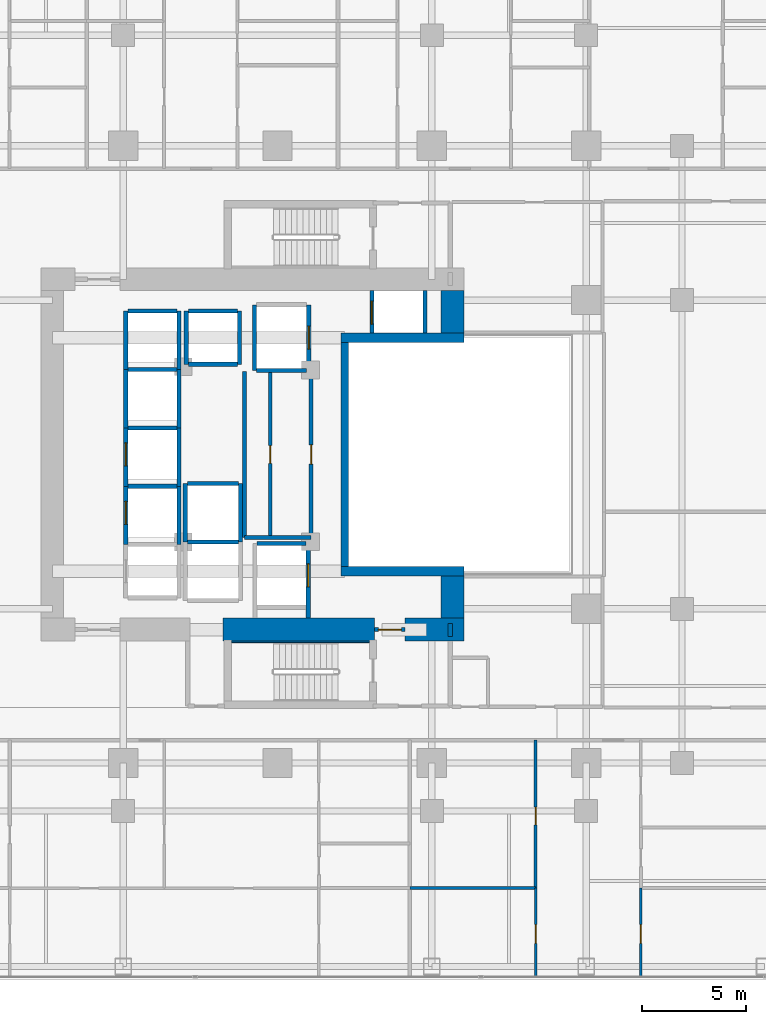
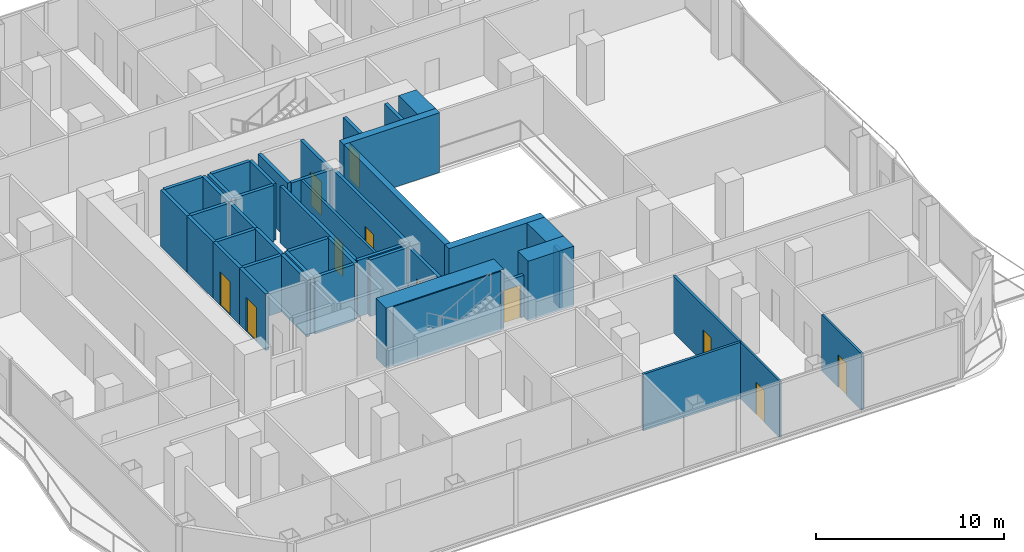
# One storey, part 21 of 27: 45 walls, 11 doors, 11 openings.
"""IFC4 building model written with IfcOpenShell, lengths in metres."""

import ifcopenshell
import ifcopenshell.guid

model = None  # the IFC model being written
_history = None  # IfcOwnerHistory: only IFC2X3 demands one
_inside = {}  # id of a spatial element -> (the spatial element, [elements in it])
_under = {}  # id of a project, library or spatial element -> (it, [spatial elements below it])
_declared = {}  # id of a project -> (the project, [libraries it declares])
_typed = {}  # id of a type object -> (the type object, [elements of that type])
_made_of = {}  # id of a material, layer set ... -> (it, [elements and type objects made of it])


def new_model(schema):
    """Start an empty IFC model of exactly this schema.

    Asked for "IFC4X3", IfcOpenShell would pick the latest addendum, in which some entities
    have other attributes; the version numbers below select the first issue.
    IFC2X3 requires an IfcOwnerHistory on every rooted entity: one is made here for all.
    """
    global model, _history
    if schema == "IFC4X3":
        model = ifcopenshell.file(schema_version=(4, 3, 0, 0))
    else:
        model = ifcopenshell.file(schema=schema)
    _inside.clear()
    _under.clear()
    _declared.clear()
    _typed.clear()
    _made_of.clear()
    _history = None
    if model.schema == "IFC2X3":
        org = make("IfcOrganization", Name="unknown")
        user = make(
            "IfcPersonAndOrganization",
            ThePerson=make("IfcPerson", FamilyName="unknown"),
            TheOrganization=org,
        )
        app = make(
            "IfcApplication",
            ApplicationDeveloper=org,
            Version="unknown",
            ApplicationFullName="unknown",
            ApplicationIdentifier="unknown",
        )
        _history = make(
            "IfcOwnerHistory",
            OwningUser=user,
            OwningApplication=app,
            ChangeAction="ADDED",
            CreationDate=0,
        )
    return model


def make(cls, **values):
    """One entity of the class cls with the attributes given. An attribute that is None is left unset."""
    return model.create_entity(
        cls, **{name: value for name, value in values.items() if value is not None}
    )


def rooted(cls, **values):
    """An entity with a GlobalId (a new one), such as an element, a storey or a relation."""
    return make(cls, GlobalId=ifcopenshell.guid.new(), OwnerHistory=_history, **values)


def si_unit(unit_type, name, prefix=None):
    """IfcSIUnit, for example si_unit("LENGTHUNIT", "METRE", prefix="MILLI")."""
    return make("IfcSIUnit", UnitType=unit_type, Prefix=prefix, Name=name)


def assignment(units):
    """IfcUnitAssignment: the units of a project."""
    return None if units is None else make("IfcUnitAssignment", Units=units)


def point(xyz):
    """IfcCartesianPoint."""
    return None if xyz is None else make("IfcCartesianPoint", Coordinates=xyz)


def direction(xyz):
    """IfcDirection."""
    return None if xyz is None else make("IfcDirection", DirectionRatios=xyz)


def frame(location, z_axis=None, x_axis=None):
    """IfcAxis2Placement3D, a coordinate frame: its origin and axes. An axis left out is left unset."""
    return make(
        "IfcAxis2Placement3D",
        Location=point(location),
        Axis=direction(z_axis),
        RefDirection=direction(x_axis),
    )


def frame_2d(location, x_axis=None):
    """IfcAxis2Placement2D, a coordinate frame in the plane: its origin and x axis."""
    return make(
        "IfcAxis2Placement2D", Location=point(location), RefDirection=direction(x_axis)
    )


def origin():
    """The frame at (0, 0, 0) with its axes left unset."""
    return frame((0.0, 0.0, 0.0))


def place(relative_to, where):
    """IfcLocalPlacement: puts the frame where relative to a parent placement (None: the world)."""
    return make(
        "IfcLocalPlacement", PlacementRelTo=relative_to, RelativePlacement=where
    )


def context(
    kind, dimensions, precision=None, world=None, true_north=None, identifier=None
):
    """IfcGeometricRepresentationContext, for example the 3D "Model" context."""
    return make(
        "IfcGeometricRepresentationContext",
        ContextIdentifier=identifier,
        ContextType=kind,
        CoordinateSpaceDimension=dimensions,
        Precision=precision,
        WorldCoordinateSystem=world,
        TrueNorth=true_north,
    )


def subcontext(parent, identifier, kind, view, scale=None):
    """IfcGeometricRepresentationSubContext, for example "Body" below "Model"."""
    return make(
        "IfcGeometricRepresentationSubContext",
        ContextIdentifier=identifier,
        ContextType=kind,
        ParentContext=parent,
        TargetScale=scale,
        TargetView=view,
    )


def project(units=None, contexts=None):
    """IfcProject with its units and contexts."""
    return rooted(
        "IfcProject",
        Name="project",
        RepresentationContexts=contexts,
        UnitsInContext=assignment(units),
    )


def spatial(cls, under=None, at=None, **own):
    """A site, building, storey or space (cls), placed at a placement, below another one or the project."""
    s = rooted(cls, ObjectPlacement=at, **own)
    if under is not None:
        _under.setdefault(under.id(), (under, []))[1].append(s)
    return s


def profile(cls, at=None, kind="AREA", **sizes):
    """A parametric profile (cls). Its sizes go by their IFC names, for example OverallWidth=200.0."""
    return make(cls, ProfileType=kind, Position=at, **sizes)


def rectangle(**sizes):
    """IfcRectangleProfileDef."""
    return profile("IfcRectangleProfileDef", **sizes)


def extrude(swept, where, along, depth):
    """IfcExtrudedAreaSolid: the profile swept, set in the frame where, extruded along a direction by depth."""
    return make(
        "IfcExtrudedAreaSolid",
        SweptArea=swept,
        Position=where,
        ExtrudedDirection=direction(along),
        Depth=depth,
    )


def shape(context_of_items, identifier, shape_type, items):
    """IfcShapeRepresentation: the items that make up one representation, for example the "Body"."""
    return make(
        "IfcShapeRepresentation",
        ContextOfItems=context_of_items,
        RepresentationIdentifier=identifier,
        RepresentationType=shape_type,
        Items=items,
    )


def material(Name=None, Category=None):
    """IfcMaterial."""
    return make("IfcMaterial", Name=Name, Category=Category)


def layer(
    of_material, thickness, ventilated=None, Name=None, Category=None, Priority=None
):
    """IfcMaterialLayer: one layer of a wall or slab, of a material (None: an air gap)."""
    return make(
        "IfcMaterialLayer",
        Material=of_material,
        LayerThickness=thickness,
        IsVentilated=ventilated,
        Name=Name,
        Category=Category,
        Priority=Priority,
    )


def layer_set(layers, Name=None):
    """IfcMaterialLayerSet."""
    return make("IfcMaterialLayerSet", MaterialLayers=layers, LayerSetName=Name)


def made_of(thing, what):
    """Note that an element or type object is made of a material, layer set ...; save() writes the relation."""
    if what is not None:
        _made_of.setdefault(what.id(), (what, []))[1].append(thing)
    return thing


def type_object(cls, material=None, **own):
    """A type object (cls), such as IfcWallType, which elements share."""
    return made_of(rooted(cls, **own), material)


def element(
    cls,
    number,
    at=None,
    inside=None,
    cuts=None,
    type_object=None,
    material=None,
    context=None,
    identifier="Body",
    shape_type=None,
    held_by="IfcProductDefinitionShape",
    body=None,
    shapes=None,
    **own,
):
    """One element of the class cls, such as IfcWall. Its Tag is "e" and its number.

    at: its placement. inside: the storey or other place that contains it. cuts: it is an
    opening in that element (IfcRelVoidsElement). A single representation is given by context,
    identifier, shape_type and body (its items); several are given by shapes. held_by: the class
    of the entity that holds the representations. save() writes the other relations.
    """
    e = rooted(cls, Tag="e%d" % number, ObjectPlacement=at, **own)
    if body is not None:
        shapes = [shape(context, identifier, shape_type, body)]
    if shapes is not None:
        e.Representation = make(held_by, Representations=shapes)
    if inside is not None:
        _inside.setdefault(inside.id(), (inside, []))[1].append(e)
    if cuts is not None:
        rooted(
            "IfcRelVoidsElement", RelatingBuildingElement=cuts, RelatedOpeningElement=e
        )
    if type_object is not None:
        _typed.setdefault(type_object.id(), (type_object, []))[1].append(e)
    return made_of(e, material)


def fill(opening, filler):
    """IfcRelFillsElement: the door or window that sits in an opening."""
    return rooted(
        "IfcRelFillsElement",
        RelatingOpeningElement=opening,
        RelatedBuildingElement=filler,
    )


def aggregate(whole, parts):
    """IfcRelAggregates: a whole, such as a stair, and the parts it consists of."""
    return rooted("IfcRelAggregates", RelatingObject=whole, RelatedObjects=parts)


def save(model, path):
    """Write the relations noted so far, then the file.

    IfcRelAggregates (storeys below a building ...), IfcRelContainedInSpatialStructure (elements
    in a storey), IfcRelDefinesByType, IfcRelAssociatesMaterial and IfcRelDeclares: one each for
    every whole, place, type object, material and project.
    """
    for whole, parts in _under.values():
        aggregate(whole, parts)
    for where, things in _inside.values():
        rooted(
            "IfcRelContainedInSpatialStructure",
            RelatedElements=things,
            RelatingStructure=where,
        )
    for kind, things in _typed.values():
        rooted("IfcRelDefinesByType", RelatedObjects=things, RelatingType=kind)
    for what, things in _made_of.values():
        rooted("IfcRelAssociatesMaterial", RelatedObjects=things, RelatingMaterial=what)
    for by, libraries in _declared.values():
        rooted("IfcRelDeclares", RelatingContext=by, RelatedDefinitions=libraries)
    model.write(path)


model = new_model("IFC4")

# Units and contexts
model_context = context("Model", 3, precision=1e-05, world=origin(), true_north=direction((0.0, 1.0)))
body_context = subcontext(model_context, "Body", "Model", "MODEL_VIEW")
ifc_project = project(units=[si_unit("LENGTHUNIT", "METRE"), si_unit("AREAUNIT", "SQUARE_METRE"), si_unit("VOLUMEUNIT", "CUBIC_METRE"), si_unit("PLANEANGLEUNIT", "RADIAN"), si_unit("MASSUNIT", "GRAM", prefix="KILO")], contexts=[model_context])

# Site, building, storey
site_placement = place(None, origin())
site = spatial("IfcSite", under=ifc_project, at=site_placement, CompositionType="ELEMENT")
building_placement = place(site_placement, origin())
building = spatial("IfcBuilding", under=site, at=building_placement, Name="Khorvyn Point Tower", CompositionType="ELEMENT")
storey_placement = place(building_placement, frame((0.0, 0.0, 42.300048828125)))
storey = spatial("IfcBuildingStorey", under=building, at=storey_placement, Name="L11", CompositionType="ELEMENT", Elevation=42.300048828125)

# Walls
ifc_material_1 = material(Name="Concrete C40/50", Category="concrete")
ifc_layer_1 = layer(ifc_material_1, 0.449951171875)
ifc_layer_set_1 = layer_set([ifc_layer_1], Name="Concrete C40/50 Core Shear Wall 450")
wall_type_1 = type_object("IfcWallType", Name="Concrete C40/50 Core Shear Wall 450", PredefinedType="SHEAR", material=ifc_layer_set_1)
for number, where, z_axis, x_axis, name in (
    (1, (3.044921875, -5.60009765625, 0.0), (0.0, 0.0, 1.0), (1.0, 0.0, 0.0), "Wall"),
    (2, (3.044921875, 5.60009765625, 0.0), (0.0, 0.0, 1.0), (1.0, 0.0, 0.0), "Wall"),
):
    element("IfcWall", number, at=place(storey_placement, frame(where, z_axis=z_axis, x_axis=x_axis)), inside=storey, type_object=wall_type_1, Name=name, PredefinedType="SHEAR", context=body_context, shape_type="SweptSolid", body=[
        extrude(rectangle(XDim=5.905029296875, YDim=0.449951171875, at=frame_2d((2.95263671875, 0.0))), origin(), (0.0, 0.0, 1.0), 3.89990234375),
    ])

# Wall, opening, door
ifc_layer_2 = layer(ifc_material_1, 0.199951171875)
ifc_layer_set_2 = layer_set([ifc_layer_2], Name="Concrete C40/50 Fire-Lobby Compartment Wall 200")
wall_type_2 = type_object("IfcWallType", Name="Concrete C40/50 Fire-Lobby Compartment Wall 200", PredefinedType="SOLIDWALL", material=ifc_layer_set_2)
wall_1_placement = place(storey_placement, frame((4.64990234375, -8.39990234375, 0.0), z_axis=(0.0, 0.0, 1.0), x_axis=(1.0, 0.0, 0.0)))
wall_1 = element("IfcWall", 3, at=wall_1_placement, inside=storey, type_object=wall_type_2, Name="Wall", PredefinedType="SOLIDWALL", context=body_context, shape_type="SweptSolid", body=[
    extrude(rectangle(XDim=1.47021484375, YDim=0.199951171875, at=frame_2d((0.735107421875, 0.0))), origin(), (0.0, 0.0, 1.0), 2.719970703125),
])
opening_1_placement = place(wall_1_placement, frame((0.18505859375, 0.0, 0.0)))
opening_1 = element("IfcOpeningElement", 4, at=opening_1_placement, cuts=wall_1, Name="Opening ID-FL90", PredefinedType="OPENING", context=body_context, shape_type="SweptSolid", body=[
    extrude(rectangle(XDim=1.10009765625, YDim=2.14990234375, at=frame_2d((0.550048828125, 1.074951171875))), frame((0.0, 0.10986328125, 0.0), z_axis=(0.0, -1.0, 0.0), x_axis=(1.0, 0.0, 0.0)), (0.0, 0.0, 1.0), 0.219970703125),
])
ifc_material_2 = material(Name="Galvanised powder-coated steel", Category="steel")
door_type_1 = type_object("IfcDoorType", Name="Fire-Rated Steel Lobby and Stair Door 1100x2150", OperationType="NOTDEFINED", PredefinedType="DOOR", material=ifc_material_2)
door_1_placement = place(opening_1_placement, origin())
door_1 = element("IfcDoor", 5, at=door_1_placement, inside=storey, type_object=door_type_1, Name="Door", OperationType="SINGLE_SWING_LEFT", OverallHeight=2.14990234375, OverallWidth=1.10009765625, PredefinedType="DOOR", context=body_context, shape_type="SweptSolid", body=[
    extrude(rectangle(XDim=1.10009765625, YDim=2.14990234375, at=frame_2d((0.550048828125, 1.074951171875))), frame((0.0, 0.02490234375, 0.0), z_axis=(0.0, -1.0, 0.0), x_axis=(1.0, 0.0, 0.0)), (0.0, 0.0, 1.0), 0.050048828125),
])
fill(opening_1, door_1)

wall_2_placement = place(storey_placement, frame((1.610107421875, -3.97998046875, 0.0), z_axis=(0.0, 0.0, 1.0), x_axis=(0.0, 1.0, 0.0)))
wall_2 = element("IfcWall", 6, at=wall_2_placement, inside=storey, type_object=wall_type_2, Name="Wall", PredefinedType="SOLIDWALL", context=body_context, shape_type="SweptSolid", body=[
    extrude(rectangle(XDim=7.9599609375, YDim=0.199951171875, at=frame_2d((3.97998046875, 0.0))), origin(), (0.0, 0.0, 1.0), 3.679931640625),
])
opening_2_placement = place(wall_2_placement, frame((3.52001953125, 0.0, 0.0)))
opening_2 = element("IfcOpeningElement", 7, at=opening_2_placement, cuts=wall_2, Name="Opening ID-RS60", PredefinedType="OPENING", context=body_context, shape_type="SweptSolid", body=[
    extrude(rectangle(XDim=0.919921875, YDim=2.10009765625, at=frame_2d((0.4599609375, 1.050048828125))), frame((0.0, 0.10986328125, 0.0), z_axis=(0.0, -1.0, 0.0), x_axis=(1.0, 0.0, 0.0)), (0.0, 0.0, 1.0), 0.219970703125),
])
door_type_2 = type_object("IfcDoorType", Name="Fire-Rated Riser and Store Steel Door 920x2100", OperationType="NOTDEFINED", PredefinedType="DOOR", material=ifc_material_2)
door_2_placement = place(opening_2_placement, origin())
door_2 = element("IfcDoor", 8, at=door_2_placement, inside=storey, type_object=door_type_2, Name="Door", OperationType="SINGLE_SWING_LEFT", OverallHeight=2.10009765625, OverallWidth=0.919921875, PredefinedType="DOOR", context=body_context, shape_type="SweptSolid", body=[
    extrude(rectangle(XDim=0.919921875, YDim=2.10009765625, at=frame_2d((0.4599609375, 1.050048828125))), frame((0.0, 0.02490234375, 0.0), z_axis=(0.0, -1.0, 0.0), x_axis=(1.0, 0.0, 0.0)), (0.0, 0.0, 1.0), 0.050048828125),
])
fill(opening_2, door_2)

# Walls
wall_3_placement = place(storey_placement, frame((-1.580078125, -3.97998046875, 0.0), z_axis=(0.0, 0.0, 1.0), x_axis=(0.0, 1.0, 0.0)))
element("IfcWall", 9, at=wall_3_placement, inside=storey, type_object=wall_type_2, Name="Wall", PredefinedType="SOLIDWALL", context=body_context, shape_type="SweptSolid", body=[
    extrude(rectangle(XDim=7.9599609375, YDim=0.199951171875, at=frame_2d((3.97998046875, 0.0))), origin(), (0.0, 0.0, 1.0), 3.679931640625),
])
wall_4_placement = place(storey_placement, frame((-1.580078125, -3.97998046875, 0.0), z_axis=(0.0, 0.0, 1.0), x_axis=(1.0, 0.0, 0.0)))
element("IfcWall", 10, at=wall_4_placement, inside=storey, type_object=wall_type_2, Name="Wall", PredefinedType="SOLIDWALL", context=body_context, shape_type="SweptSolid", body=[
    extrude(rectangle(XDim=3.190185546875, YDim=0.199951171875, at=frame_2d((1.59521484375, 0.0))), origin(), (0.0, 0.0, 1.0), 3.679931640625),
])
wall_5_placement = place(storey_placement, frame((8.280029296875, -8.72509765625, 0.0), z_axis=(0.0, 0.0, 1.0), x_axis=(0.0, 1.0, 0.0)))
element("IfcWall", 11, at=wall_5_placement, inside=storey, type_object=wall_type_2, Name="Wall", PredefinedType="SOLIDWALL", context=body_context, shape_type="SweptSolid", body=[
    extrude(rectangle(XDim=0.625, YDim=0.199951171875, at=frame_2d((0.3125, 0.0))), origin(), (0.0, 0.0, 1.0), 3.679931640625),
])
ifc_layer_3 = layer(ifc_material_1, 0.25)
ifc_layer_set_3 = layer_set([ifc_layer_3], Name="Concrete C40/50 Stair Inner Cheek Structural Wall 250")
wall_type_3 = type_object("IfcWallType", Name="Concrete C40/50 Stair Inner Cheek Structural Wall 250", PredefinedType="SHEAR", material=ifc_layer_set_3)
wall_6_placement = place(storey_placement, frame((-2.199951171875, -8.987548828125, 0.0), z_axis=(0.0, 0.0, 1.0), x_axis=(1.0, 0.0, 0.0)))
element("IfcWall", 12, at=wall_6_placement, inside=storey, type_object=wall_type_3, Name="Wall", PredefinedType="SHEAR", context=body_context, shape_type="SweptSolid", body=[
    extrude(rectangle(XDim=6.599853515625, YDim=0.074951171875, at=frame_2d((3.2998046875, 0.0))), origin(), (0.0, 0.0, 1.0), 3.89990234375),
])
ifc_layer_4 = layer(ifc_material_1, 0.35009765625)
ifc_layer_set_4 = layer_set([ifc_layer_4], Name="Concrete C40/50 Stair Shaft Structural Wall 350")
wall_type_4 = type_object("IfcWallType", Name="Concrete C40/50 Stair Shaft Structural Wall 350", PredefinedType="SHEAR", material=ifc_layer_set_4)
wall_7_placement = place(storey_placement, frame((3.219970703125, -5.375, 0.0), z_axis=(0.0, 0.0, 1.0), x_axis=(0.0, 1.0, 0.0)))
element("IfcWall", 13, at=wall_7_placement, inside=storey, type_object=wall_type_4, Name="Wall", PredefinedType="SHEAR", context=body_context, shape_type="SweptSolid", body=[
    extrude(rectangle(XDim=10.75, YDim=0.35009765625, at=frame_2d((5.375, 0.0))), origin(), (0.0, 0.0, 1.0), 3.89990234375),
])

# Wall, opening, door
ifc_layer_5 = layer(ifc_material_1, 0.199951171875)
ifc_layer_set_5 = layer_set([ifc_layer_5], Name="Concrete C40/50 Structural Hoistway and Stair Shaft Wall 200")
wall_type_5 = type_object("IfcWallType", Name="Concrete C40/50 Structural Hoistway and Stair Shaft Wall 200", PredefinedType="SHEAR", material=ifc_layer_set_5)
wall_8_placement = place(storey_placement, frame((-7.27490234375, -4.324951171875, 0.0), z_axis=(0.0, 0.0, 1.0), x_axis=(0.0, 1.0, 0.0)))
wall_8 = element("IfcWall", 14, at=wall_8_placement, inside=storey, type_object=wall_type_5, Name="Wall", PredefinedType="SHEAR", context=body_context, shape_type="SweptSolid", body=[
    extrude(rectangle(XDim=2.800048828125, YDim=0.199951171875, at=frame_2d((1.39990234375, 0.0))), origin(), (0.0, 0.0, 1.0), 3.679931640625),
])
opening_3_placement = place(wall_8_placement, frame((0.97509765625, 0.0, 0.0)))
opening_3 = element("IfcOpeningElement", 15, at=opening_3_placement, cuts=wall_8, Name="Opening LD-1122", PredefinedType="OPENING", context=body_context, shape_type="SweptSolid", body=[
    extrude(rectangle(XDim=1.10009765625, YDim=2.199951171875, at=frame_2d((0.550048828125, 1.10009765625))), frame((0.0, 0.10986328125, 0.0), z_axis=(0.0, -1.0, 0.0), x_axis=(1.0, 0.0, 0.0)), (0.0, 0.0, 1.0), 0.219970703125),
])
ifc_material_3 = material(Name="Stainless steel 1.4301", Category="steel")
door_type_3 = type_object("IfcDoorType", Name="Stainless Steel Automatic Sliding Lift Landing Door 1100x2200", OperationType="SLIDING_TO_LEFT", PredefinedType="DOOR", material=ifc_material_3)
door_3_placement = place(opening_3_placement, origin())
door_3 = element("IfcDoor", 16, at=door_3_placement, inside=storey, type_object=door_type_3, Name="L11 RL-02 Sliding Lift Landing Door", OperationType="SLIDING_TO_LEFT", OverallHeight=2.199951171875, OverallWidth=1.10009765625, PredefinedType="DOOR", context=body_context, shape_type="SweptSolid", body=[
    extrude(rectangle(XDim=1.10009765625, YDim=2.199951171875, at=frame_2d((0.550048828125, 1.10009765625))), frame((0.0, 0.02490234375, 0.0), z_axis=(0.0, -1.0, 0.0), x_axis=(1.0, 0.0, 0.0)), (0.0, 0.0, 1.0), 0.050048828125),
])
fill(opening_3, door_3)

# Walls
wall_9_placement = place(storey_placement, frame((-4.72509765625, -4.324951171875, 0.0), z_axis=(0.0, 0.0, 1.0), x_axis=(0.0, 1.0, 0.0)))
element("IfcWall", 17, at=wall_9_placement, inside=storey, type_object=wall_type_5, Name="Wall", PredefinedType="SHEAR", context=body_context, shape_type="SweptSolid", body=[
    extrude(rectangle(XDim=2.800048828125, YDim=0.199951171875, at=frame_2d((1.39990234375, 0.0))), origin(), (0.0, 0.0, 1.0), 3.679931640625),
])
wall_10_placement = place(storey_placement, frame((-7.175048828125, -1.52490234375, 0.0), z_axis=(0.0, 0.0, 1.0), x_axis=(1.0, 0.0, 0.0)))
element("IfcWall", 18, at=wall_10_placement, inside=storey, type_object=wall_type_5, Name="Wall", PredefinedType="SHEAR", context=body_context, shape_type="SweptSolid", body=[
    extrude(rectangle(XDim=2.35009765625, YDim=0.199951171875, at=frame_2d((1.175048828125, 0.0))), origin(), (0.0, 0.0, 1.0), 3.679931640625),
])

# Wall, opening, door
wall_11_placement = place(storey_placement, frame((-7.27490234375, -1.52490234375, 0.0), z_axis=(0.0, 0.0, 1.0), x_axis=(0.0, 1.0, 0.0)))
wall_11 = element("IfcWall", 19, at=wall_11_placement, inside=storey, type_object=wall_type_5, Name="Wall", PredefinedType="SHEAR", context=body_context, shape_type="SweptSolid", body=[
    extrude(rectangle(XDim=2.7998046875, YDim=0.199951171875, at=frame_2d((1.39990234375, 0.0))), origin(), (0.0, 0.0, 1.0), 3.679931640625),
])
opening_4_placement = place(wall_11_placement, frame((0.97509765625, 0.0, 0.0)))
opening_4 = element("IfcOpeningElement", 20, at=opening_4_placement, cuts=wall_11, Name="Opening LD-1122", PredefinedType="OPENING", context=body_context, shape_type="SweptSolid", body=[
    extrude(rectangle(XDim=1.10009765625, YDim=2.199951171875, at=frame_2d((0.550048828125, 1.10009765625))), frame((0.0, 0.10986328125, 0.0), z_axis=(0.0, -1.0, 0.0), x_axis=(1.0, 0.0, 0.0)), (0.0, 0.0, 1.0), 0.219970703125),
])
door_4_placement = place(opening_4_placement, origin())
door_4 = element("IfcDoor", 21, at=door_4_placement, inside=storey, type_object=door_type_3, Name="L11 RL-03 Sliding Lift Landing Door", OperationType="SLIDING_TO_LEFT", OverallHeight=2.199951171875, OverallWidth=1.10009765625, PredefinedType="DOOR", context=body_context, shape_type="SweptSolid", body=[
    extrude(rectangle(XDim=1.10009765625, YDim=2.199951171875, at=frame_2d((0.550048828125, 1.10009765625))), frame((0.0, 0.02490234375, 0.0), z_axis=(0.0, -1.0, 0.0), x_axis=(1.0, 0.0, 0.0)), (0.0, 0.0, 1.0), 0.050048828125),
])
fill(opening_4, door_4)

# Walls
wall_12_placement = place(storey_placement, frame((-4.72509765625, -1.52490234375, 0.0), z_axis=(0.0, 0.0, 1.0), x_axis=(0.0, 1.0, 0.0)))
element("IfcWall", 22, at=wall_12_placement, inside=storey, type_object=wall_type_5, Name="Wall", PredefinedType="SHEAR", context=body_context, shape_type="SweptSolid", body=[
    extrude(rectangle(XDim=2.7998046875, YDim=0.199951171875, at=frame_2d((1.39990234375, 0.0))), origin(), (0.0, 0.0, 1.0), 3.679931640625),
])
wall_13_placement = place(storey_placement, frame((-7.175048828125, 1.27490234375, 0.0), z_axis=(0.0, 0.0, 1.0), x_axis=(1.0, 0.0, 0.0)))
element("IfcWall", 23, at=wall_13_placement, inside=storey, type_object=wall_type_5, Name="Wall", PredefinedType="SHEAR", context=body_context, shape_type="SweptSolid", body=[
    extrude(rectangle(XDim=2.35009765625, YDim=0.199951171875, at=frame_2d((1.175048828125, 0.0))), origin(), (0.0, 0.0, 1.0), 3.679931640625),
])
for number, where, z_axis, x_axis, name in (
    (24, (-7.27490234375, 1.27490234375, 0.0), (0.0, 0.0, 1.0), (0.0, 1.0, 0.0), "Wall"),
    (25, (-4.72509765625, 1.27490234375, 0.0), (0.0, 0.0, 1.0), (0.0, 1.0, 0.0), "Wall"),
):
    element("IfcWall", number, at=place(storey_placement, frame(where, z_axis=z_axis, x_axis=x_axis)), inside=storey, type_object=wall_type_5, Name=name, PredefinedType="SHEAR", context=body_context, shape_type="SweptSolid", body=[
        extrude(rectangle(XDim=2.800048828125, YDim=0.199951171875, at=frame_2d((1.39990234375, 0.0))), origin(), (0.0, 0.0, 1.0), 3.679931640625),
    ])
wall_14_placement = place(storey_placement, frame((-7.175048828125, 4.074951171875, 0.0), z_axis=(0.0, 0.0, 1.0), x_axis=(1.0, 0.0, 0.0)))
element("IfcWall", 26, at=wall_14_placement, inside=storey, type_object=wall_type_5, Name="Wall", PredefinedType="SHEAR", context=body_context, shape_type="SweptSolid", body=[
    extrude(rectangle(XDim=2.35009765625, YDim=0.199951171875, at=frame_2d((1.175048828125, 0.0))), origin(), (0.0, 0.0, 1.0), 3.679931640625),
])
for number, where, z_axis, x_axis, name in (
    (27, (-7.27490234375, 4.074951171875, 0.0), (0.0, 0.0, 1.0), (0.0, 1.0, 0.0), "Wall"),
    (28, (-4.72509765625, 4.074951171875, 0.0), (0.0, 0.0, 1.0), (0.0, 1.0, 0.0), "Wall"),
):
    element("IfcWall", number, at=place(storey_placement, frame(where, z_axis=z_axis, x_axis=x_axis)), inside=storey, type_object=wall_type_5, Name=name, PredefinedType="SHEAR", context=body_context, shape_type="SweptSolid", body=[
        extrude(rectangle(XDim=2.800048828125, YDim=0.199951171875, at=frame_2d((1.39990234375, 0.0))), origin(), (0.0, 0.0, 1.0), 3.679931640625),
    ])
wall_15_placement = place(storey_placement, frame((-7.175048828125, 6.875, 0.0), z_axis=(0.0, 0.0, 1.0), x_axis=(1.0, 0.0, 0.0)))
element("IfcWall", 29, at=wall_15_placement, inside=storey, type_object=wall_type_5, Name="Wall", PredefinedType="SHEAR", context=body_context, shape_type="SweptSolid", body=[
    extrude(rectangle(XDim=2.35009765625, YDim=0.199951171875, at=frame_2d((1.175048828125, 0.0))), origin(), (0.0, 0.0, 1.0), 3.679931640625),
])
for number, where, z_axis, x_axis, name in (
    (30, (-4.375, 4.324951171875, 0.0), (0.0, 0.0, 1.0), (0.0, 1.0, 0.0), "Wall"),
    (31, (-1.824951171875, 4.324951171875, 0.0), (0.0, 0.0, 1.0), (0.0, 1.0, 0.0), "Wall"),
):
    element("IfcWall", number, at=place(storey_placement, frame(where, z_axis=z_axis, x_axis=x_axis)), inside=storey, type_object=wall_type_5, Name=name, PredefinedType="SHEAR", context=body_context, shape_type="SweptSolid", body=[
        extrude(rectangle(XDim=2.550048828125, YDim=0.199951171875, at=frame_2d((1.27490234375, 0.0))), origin(), (0.0, 0.0, 1.0), 3.679931640625),
    ])
for number, where, z_axis, x_axis, name in (
    (32, (-4.27490234375, 4.324951171875, 0.0), (0.0, 0.0, 1.0), (1.0, 0.0, 0.0), "Wall"),
    (33, (-4.27490234375, 6.875, 0.0), (0.0, 0.0, 1.0), (1.0, 0.0, 0.0), "Wall"),
):
    element("IfcWall", number, at=place(storey_placement, frame(where, z_axis=z_axis, x_axis=x_axis)), inside=storey, type_object=wall_type_5, Name=name, PredefinedType="SHEAR", context=body_context, shape_type="SweptSolid", body=[
        extrude(rectangle(XDim=2.349853515625, YDim=0.199951171875, at=frame_2d((1.1748046875, 0.0))), origin(), (0.0, 0.0, 1.0), 3.679931640625),
    ])
wall_16_placement = place(storey_placement, frame((-4.324951171875, -4.199951171875, 0.0), z_axis=(0.0, 0.0, 1.0), x_axis=(1.0, 0.0, 0.0)))
element("IfcWall", 34, at=wall_16_placement, inside=storey, type_object=wall_type_5, Name="Wall", PredefinedType="SHEAR", context=body_context, shape_type="SweptSolid", body=[
    extrude(rectangle(XDim=2.449951171875, YDim=0.199951171875, at=frame_2d((1.22509765625, 0.0))), origin(), (0.0, 0.0, 1.0), 3.679931640625),
])
for number, where, z_axis, x_axis, name in (
    (35, (-4.425048828125, -4.199951171875, 0.0), (0.0, 0.0, 1.0), (0.0, 1.0, 0.0), "Wall"),
    (36, (-1.77490234375, -4.199951171875, 0.0), (0.0, 0.0, 1.0), (0.0, 1.0, 0.0), "Wall"),
):
    element("IfcWall", number, at=place(storey_placement, frame(where, z_axis=z_axis, x_axis=x_axis)), inside=storey, type_object=wall_type_5, Name=name, PredefinedType="SHEAR", context=body_context, shape_type="SweptSolid", body=[
        extrude(rectangle(XDim=2.800048828125, YDim=0.199951171875, at=frame_2d((1.39990234375, 0.0))), origin(), (0.0, 0.0, 1.0), 3.679931640625),
    ])
wall_17_placement = place(storey_placement, frame((-4.324951171875, -1.39990234375, 0.0), z_axis=(0.0, 0.0, 1.0), x_axis=(1.0, 0.0, 0.0)))
element("IfcWall", 37, at=wall_17_placement, inside=storey, type_object=wall_type_5, Name="Wall", PredefinedType="SHEAR", context=body_context, shape_type="SweptSolid", body=[
    extrude(rectangle(XDim=2.449951171875, YDim=0.199951171875, at=frame_2d((1.22509765625, 0.0))), origin(), (0.0, 0.0, 1.0), 3.679931640625),
])
wall_18_placement = place(storey_placement, frame((-1.10009765625, 4.02490234375, 0.0), z_axis=(0.0, 0.0, 1.0), x_axis=(0.0, 1.0, 0.0)))
element("IfcWall", 38, at=wall_18_placement, inside=storey, type_object=wall_type_5, Name="Wall", PredefinedType="SHEAR", context=body_context, shape_type="SweptSolid", body=[
    extrude(rectangle(XDim=3.150146484375, YDim=0.199951171875, at=frame_2d((1.5751953125, 0.0))), origin(), (0.0, 0.0, 1.0), 3.679931640625),
])

# Wall, opening, door
wall_19_placement = place(storey_placement, frame((1.5, 4.02490234375, 0.0), z_axis=(0.0, 0.0, 1.0), x_axis=(0.0, 1.0, 0.0)))
wall_19 = element("IfcWall", 39, at=wall_19_placement, inside=storey, type_object=wall_type_5, Name="Wall", PredefinedType="SHEAR", context=body_context, shape_type="SweptSolid", body=[
    extrude(rectangle(XDim=3.150146484375, YDim=0.199951171875, at=frame_2d((1.5751953125, 0.0))), origin(), (0.0, 0.0, 1.0), 3.679931640625),
])
opening_5_placement = place(wall_19_placement, frame((1.02490234375, 0.0, 0.0)))
opening_5 = element("IfcOpeningElement", 40, at=opening_5_placement, cuts=wall_19, Name="Opening LD-1122", PredefinedType="OPENING", context=body_context, shape_type="SweptSolid", body=[
    extrude(rectangle(XDim=1.10009765625, YDim=2.199951171875, at=frame_2d((0.550048828125, 1.10009765625))), frame((0.0, 0.10986328125, 0.0), z_axis=(0.0, -1.0, 0.0), x_axis=(1.0, 0.0, 0.0)), (0.0, 0.0, 1.0), 0.219970703125),
])
door_5_placement = place(opening_5_placement, origin())
door_5 = element("IfcDoor", 41, at=door_5_placement, inside=storey, type_object=door_type_3, Name="L11 SV-01 Sliding Lift Landing Door", OperationType="SLIDING_TO_LEFT", OverallHeight=2.199951171875, OverallWidth=1.10009765625, PredefinedType="DOOR", context=body_context, shape_type="SweptSolid", body=[
    extrude(rectangle(XDim=1.10009765625, YDim=2.199951171875, at=frame_2d((0.550048828125, 1.10009765625))), frame((0.0, 0.02490234375, 0.0), z_axis=(0.0, -1.0, 0.0), x_axis=(1.0, 0.0, 0.0)), (0.0, 0.0, 1.0), 0.050048828125),
])
fill(opening_5, door_5)

# Wall
wall_20_placement = place(storey_placement, frame((-1.0, 4.02490234375, 0.0), z_axis=(0.0, 0.0, 1.0), x_axis=(1.0, 0.0, 0.0)))
element("IfcWall", 42, at=wall_20_placement, inside=storey, type_object=wall_type_5, Name="Wall", PredefinedType="SHEAR", context=body_context, shape_type="SweptSolid", body=[
    extrude(rectangle(XDim=2.39990234375, YDim=0.199951171875, at=frame_2d((1.199951171875, 0.0))), origin(), (0.0, 0.0, 1.0), 3.679931640625),
])

# Wall, opening, door
wall_21_placement = place(storey_placement, frame((1.47509765625, -7.85009765625, 0.0), z_axis=(0.0, 0.0, 1.0), x_axis=(0.0, 1.0, 0.0)))
wall_21 = element("IfcWall", 43, at=wall_21_placement, inside=storey, type_object=wall_type_5, Name="Wall", PredefinedType="SHEAR", context=body_context, shape_type="SweptSolid", body=[
    extrude(rectangle(XDim=3.5751953125, YDim=0.199951171875, at=frame_2d((1.78759765625, 0.0))), origin(), (0.0, 0.0, 1.0), 3.679931640625),
])
opening_6_placement = place(wall_21_placement, frame((1.5, 0.0, 0.0)))
opening_6 = element("IfcOpeningElement", 44, at=opening_6_placement, cuts=wall_21, Name="Opening LD-1122", PredefinedType="OPENING", context=body_context, shape_type="SweptSolid", body=[
    extrude(rectangle(XDim=1.10009765625, YDim=2.199951171875, at=frame_2d((0.550048828125, 1.10009765625))), frame((0.0, 0.10986328125, 0.0), z_axis=(0.0, -1.0, 0.0), x_axis=(1.0, 0.0, 0.0)), (0.0, 0.0, 1.0), 0.219970703125),
])
door_6_placement = place(opening_6_placement, origin())
door_6 = element("IfcDoor", 45, at=door_6_placement, inside=storey, type_object=door_type_3, Name="L11 FF-01 Sliding Lift Landing Door", OperationType="SLIDING_TO_LEFT", OverallHeight=2.199951171875, OverallWidth=1.10009765625, PredefinedType="DOOR", context=body_context, shape_type="SweptSolid", body=[
    extrude(rectangle(XDim=1.10009765625, YDim=2.199951171875, at=frame_2d((0.550048828125, 1.10009765625))), frame((0.0, 0.02490234375, 0.0), z_axis=(0.0, -1.0, 0.0), x_axis=(1.0, 0.0, 0.0)), (0.0, 0.0, 1.0), 0.050048828125),
])
fill(opening_6, door_6)

# Wall
wall_22_placement = place(storey_placement, frame((-0.97509765625, -4.27490234375, 0.0), z_axis=(0.0, 0.0, 1.0), x_axis=(1.0, 0.0, 0.0)))
element("IfcWall", 46, at=wall_22_placement, inside=storey, type_object=wall_type_5, Name="Wall", PredefinedType="SHEAR", context=body_context, shape_type="SweptSolid", body=[
    extrude(rectangle(XDim=2.35009765625, YDim=0.199951171875, at=frame_2d((1.175048828125, 0.0))), origin(), (0.0, 0.0, 1.0), 3.679931640625),
])

# Wall, opening, door
wall_23_placement = place(storey_placement, frame((4.52490234375, 5.824951171875, 0.0), z_axis=(0.0, 0.0, 1.0), x_axis=(0.0, 1.0, 0.0)))
wall_23 = element("IfcWall", 47, at=wall_23_placement, inside=storey, type_object=wall_type_5, Name="Wall", PredefinedType="SHEAR", context=body_context, shape_type="SweptSolid", body=[
    extrude(rectangle(XDim=2.025146484375, YDim=0.199951171875, at=frame_2d((1.0126953125, 0.0))), origin(), (0.0, 0.0, 1.0), 3.679931640625),
])
opening_7_placement = place(wall_23_placement, frame((0.425048828125, 0.0, 0.0)))
opening_7 = element("IfcOpeningElement", 48, at=opening_7_placement, cuts=wall_23, Name="Opening LD-1122", PredefinedType="OPENING", context=body_context, shape_type="SweptSolid", body=[
    extrude(rectangle(XDim=1.10009765625, YDim=2.199951171875, at=frame_2d((0.550048828125, 1.10009765625))), frame((0.0, 0.10986328125, 0.0), z_axis=(0.0, -1.0, 0.0), x_axis=(1.0, 0.0, 0.0)), (0.0, 0.0, 1.0), 0.219970703125),
])
door_7_placement = place(opening_7_placement, origin())
door_7 = element("IfcDoor", 49, at=door_7_placement, inside=storey, type_object=door_type_3, Name="L11 FF-02 Sliding Lift Landing Door", OperationType="SLIDING_TO_LEFT", OverallHeight=2.199951171875, OverallWidth=1.10009765625, PredefinedType="DOOR", context=body_context, shape_type="SweptSolid", body=[
    extrude(rectangle(XDim=1.10009765625, YDim=2.199951171875, at=frame_2d((0.550048828125, 1.10009765625))), frame((0.0, 0.02490234375, 0.0), z_axis=(0.0, -1.0, 0.0), x_axis=(1.0, 0.0, 0.0)), (0.0, 0.0, 1.0), 0.050048828125),
])
fill(opening_7, door_7)

# Walls
wall_24_placement = place(storey_placement, frame((7.074951171875, 5.824951171875, 0.0), z_axis=(0.0, 0.0, 1.0), x_axis=(0.0, 1.0, 0.0)))
element("IfcWall", 50, at=wall_24_placement, inside=storey, type_object=wall_type_5, Name="Wall", PredefinedType="SHEAR", context=body_context, shape_type="SweptSolid", body=[
    extrude(rectangle(XDim=2.025146484375, YDim=0.199951171875, at=frame_2d((1.0126953125, 0.0))), origin(), (0.0, 0.0, 1.0), 3.679931640625),
])
ifc_material_4 = material(Name="Concrete C50/60", Category="concrete")
ifc_layer_6 = layer(ifc_material_4, 1.10009765625)
ifc_layer_set_6 = layer_set([ifc_layer_6], Name="Concrete C50/60 Core Shear Wall 1100")
wall_type_6 = type_object("IfcWallType", Name="Concrete C50/60 Core Shear Wall 1100", PredefinedType="SHEAR", material=ifc_layer_set_6)
wall_25_placement = place(storey_placement, frame((-2.6201171875, -8.39990234375, 0.0), z_axis=(0.0, 0.0, 1.0), x_axis=(1.0, 0.0, 0.0)))
element("IfcWall", 51, at=wall_25_placement, inside=storey, type_object=wall_type_6, Name="Wall", PredefinedType="SHEAR", context=body_context, shape_type="SweptSolid", body=[
    extrude(rectangle(XDim=7.27001953125, YDim=1.10009765625, at=frame_2d((3.635009765625, 0.0))), origin(), (0.0, 0.0, 1.0), 3.89990234375),
])
wall_26_placement = place(storey_placement, frame((6.1201171875, -8.39990234375, 0.0), z_axis=(0.0, 0.0, 1.0), x_axis=(1.0, 0.0, 0.0)))
element("IfcWall", 52, at=wall_26_placement, inside=storey, type_object=wall_type_6, Name="Wall", PredefinedType="SHEAR", context=body_context, shape_type="SweptSolid", body=[
    extrude(rectangle(XDim=2.829833984375, YDim=1.10009765625, at=frame_2d((1.4150390625, 0.0))), origin(), (0.0, 0.0, 1.0), 3.89990234375),
])
for number, where, z_axis, x_axis, name in (
    (53, (8.39990234375, -7.85009765625, 0.0), (0.0, 0.0, 1.0), (0.0, 1.0, 0.0), "Wall"),
    (54, (8.39990234375, 5.824951171875, 0.0), (0.0, 0.0, 1.0), (0.0, 1.0, 0.0), "Wall"),
):
    element("IfcWall", number, at=place(storey_placement, frame(where, z_axis=z_axis, x_axis=x_axis)), inside=storey, type_object=wall_type_6, Name=name, PredefinedType="SHEAR", context=body_context, shape_type="SweptSolid", body=[
        extrude(rectangle(XDim=2.025146484375, YDim=1.10009765625, at=frame_2d((1.0126953125, 0.0))), origin(), (0.0, 0.0, 1.0), 3.89990234375),
    ])

# Wall, opening, door
ifc_material_5 = material(Name="Gypsum plasterboard on steel stud", Category="steel")
ifc_layer_7 = layer(ifc_material_5, 0.1201171875)
ifc_layer_set_7 = layer_set([ifc_layer_7], Name="Gypsum Acoustic Stud Room Partition Wall 120")
wall_type_7 = type_object("IfcWallType", Name="Gypsum Acoustic Stud Room Partition Wall 120", PredefinedType="PARTITIONING", material=ifc_layer_set_7)
wall_27_placement = place(storey_placement, frame((12.375, -25.030029296875, 0.0), z_axis=(0.0, 0.0, 1.0), x_axis=(0.0, 1.0, 0.0)))
wall_27 = element("IfcWall", 55, at=wall_27_placement, inside=storey, type_object=wall_type_7, Name="Wall", PredefinedType="PARTITIONING", context=body_context, shape_type="SweptSolid", body=[
    extrude(rectangle(XDim=4.239990234375, YDim=0.1201171875, at=frame_2d((2.1201171875, 0.0))), origin(), (0.0, 0.0, 1.0), 3.679931640625),
])
opening_8_placement = place(wall_27_placement, frame((1.581298828125, 0.0, 0.0)))
opening_8 = element("IfcOpeningElement", 56, at=opening_8_placement, cuts=wall_27, Name="Opening ID-RM90", PredefinedType="OPENING", context=body_context, shape_type="SweptSolid", body=[
    extrude(rectangle(XDim=0.89990234375, YDim=2.10009765625, at=frame_2d((0.449951171875, 1.050048828125))), frame((0.0, 0.070068359375, 0.0), z_axis=(0.0, -1.0, 0.0), x_axis=(1.0, 0.0, 0.0)), (0.0, 0.0, 1.0), 0.14013671875),
])
ifc_material_6 = material(Name="Engineered oak veneer timber", Category="wood")
door_type_4 = type_object("IfcDoorType", Name="Flush Engineered Timber Room Door 900x2100", OperationType="NOTDEFINED", PredefinedType="DOOR", material=ifc_material_6)
door_8_placement = place(opening_8_placement, origin())
door_8 = element("IfcDoor", 57, at=door_8_placement, inside=storey, type_object=door_type_4, Name="Door", OperationType="SINGLE_SWING_RIGHT", OverallHeight=2.10009765625, OverallWidth=0.89990234375, PredefinedType="DOOR", context=body_context, shape_type="SweptSolid", body=[
    extrude(rectangle(XDim=0.89990234375, YDim=2.10009765625, at=frame_2d((0.449951171875, 1.050048828125))), frame((0.0, 0.02490234375, 0.0), z_axis=(0.0, -1.0, 0.0), x_axis=(1.0, 0.0, 0.0)), (0.0, 0.0, 1.0), 0.050048828125),
])
fill(opening_8, door_8)

wall_28_placement = place(storey_placement, frame((17.427978515625, -25.030029296875, 0.0), z_axis=(0.0, 0.0, 1.0), x_axis=(0.0, 1.0, 0.0)))
wall_28 = element("IfcWall", 58, at=wall_28_placement, inside=storey, type_object=wall_type_7, Name="Wall", PredefinedType="PARTITIONING", context=body_context, shape_type="SweptSolid", body=[
    extrude(rectangle(XDim=4.239990234375, YDim=0.1201171875, at=frame_2d((2.1201171875, 0.0))), origin(), (0.0, 0.0, 1.0), 3.679931640625),
])
opening_9_placement = place(wall_28_placement, frame((1.581298828125, 0.0, 0.0)))
opening_9 = element("IfcOpeningElement", 59, at=opening_9_placement, cuts=wall_28, Name="Opening ID-RM90", PredefinedType="OPENING", context=body_context, shape_type="SweptSolid", body=[
    extrude(rectangle(XDim=0.89990234375, YDim=2.10009765625, at=frame_2d((0.449951171875, 1.050048828125))), frame((0.0, 0.070068359375, 0.0), z_axis=(0.0, -1.0, 0.0), x_axis=(1.0, 0.0, 0.0)), (0.0, 0.0, 1.0), 0.14013671875),
])
door_9_placement = place(opening_9_placement, origin())
door_9 = element("IfcDoor", 60, at=door_9_placement, inside=storey, type_object=door_type_4, Name="Door", OperationType="SINGLE_SWING_LEFT", OverallHeight=2.10009765625, OverallWidth=0.89990234375, PredefinedType="DOOR", context=body_context, shape_type="SweptSolid", body=[
    extrude(rectangle(XDim=0.89990234375, YDim=2.10009765625, at=frame_2d((0.449951171875, 1.050048828125))), frame((0.0, 0.02490234375, 0.0), z_axis=(0.0, -1.0, 0.0), x_axis=(1.0, 0.0, 0.0)), (0.0, 0.0, 1.0), 0.050048828125),
])
fill(opening_9, door_9)

ifc_material_7 = material(Name="Moisture-resistant gypsum and cement board", Category="gypsum")
ifc_layer_8 = layer(ifc_material_7, 0.14990234375)
ifc_layer_set_8 = layer_set([ifc_layer_8], Name="Moisture-Resistant Wet-Room Partition Wall 150")
wall_type_8 = type_object("IfcWallType", Name="Moisture-Resistant Wet-Room Partition Wall 150", PredefinedType="PARTITIONING", material=ifc_layer_set_8)
wall_29_placement = place(storey_placement, frame((-0.35009765625, -3.97998046875, 0.0), z_axis=(0.0, 0.0, 1.0), x_axis=(0.0, 1.0, 0.0)))
wall_29 = element("IfcWall", 61, at=wall_29_placement, inside=storey, type_object=wall_type_8, Name="Wall", PredefinedType="PARTITIONING", context=body_context, shape_type="SweptSolid", body=[
    extrude(rectangle(XDim=7.9599609375, YDim=0.14990234375, at=frame_2d((3.97998046875, 0.0))), origin(), (0.0, 0.0, 1.0), 3.679931640625),
])
opening_10_placement = place(wall_29_placement, frame((3.554931640625, 0.0, 0.0)))
opening_10 = element("IfcOpeningElement", 62, at=opening_10_placement, cuts=wall_29, Name="Opening ID-WC85", PredefinedType="OPENING", context=body_context, shape_type="SweptSolid", body=[
    extrude(rectangle(XDim=0.85009765625, YDim=2.10009765625, at=frame_2d((0.425048828125, 1.050048828125))), frame((0.0, 0.0849609375, 0.0), z_axis=(0.0, -1.0, 0.0), x_axis=(1.0, 0.0, 0.0)), (0.0, 0.0, 1.0), 0.169921875),
])
ifc_material_8 = material(Name="High-pressure laminate on moisture-resistant core", Category="wood")
door_type_5 = type_object("IfcDoorType", Name="Moisture-Resistant Accessible Washroom Door 850x2100", OperationType="NOTDEFINED", PredefinedType="DOOR", material=ifc_material_8)
door_10_placement = place(opening_10_placement, origin())
door_10 = element("IfcDoor", 63, at=door_10_placement, inside=storey, type_object=door_type_5, Name="Door", OperationType="SINGLE_SWING_RIGHT", OverallHeight=2.10009765625, OverallWidth=0.85009765625, PredefinedType="DOOR", context=body_context, shape_type="SweptSolid", body=[
    extrude(rectangle(XDim=0.85009765625, YDim=2.10009765625, at=frame_2d((0.425048828125, 1.050048828125))), frame((0.0, 0.02490234375, 0.0), z_axis=(0.0, -1.0, 0.0), x_axis=(1.0, 0.0, 0.0)), (0.0, 0.0, 1.0), 0.050048828125),
])
fill(opening_10, door_10)

wall_30_placement = place(storey_placement, frame((12.375, -20.7900390625, 0.0), z_axis=(0.0, 0.0, 1.0), x_axis=(0.0, 1.0, 0.0)))
wall_30 = element("IfcWall", 64, at=wall_30_placement, inside=storey, type_object=wall_type_8, Name="Wall", PredefinedType="PARTITIONING", context=body_context, shape_type="SweptSolid", body=[
    extrude(rectangle(XDim=7.090087890625, YDim=0.14990234375, at=frame_2d((3.544921875, 0.0))), origin(), (0.0, 0.0, 1.0), 3.679931640625),
])
opening_11_placement = place(wall_30_placement, frame((3.0302734375, 0.0, 0.0)))
opening_11 = element("IfcOpeningElement", 65, at=opening_11_placement, cuts=wall_30, Name="Opening ID-WC85", PredefinedType="OPENING", context=body_context, shape_type="SweptSolid", body=[
    extrude(rectangle(XDim=0.85009765625, YDim=2.10009765625, at=frame_2d((0.425048828125, 1.050048828125))), frame((0.0, 0.0849609375, 0.0), z_axis=(0.0, -1.0, 0.0), x_axis=(1.0, 0.0, 0.0)), (0.0, 0.0, 1.0), 0.169921875),
])
door_11_placement = place(opening_11_placement, origin())
door_11 = element("IfcDoor", 66, at=door_11_placement, inside=storey, type_object=door_type_5, Name="Door", OperationType="SINGLE_SWING_LEFT", OverallHeight=2.10009765625, OverallWidth=0.85009765625, PredefinedType="DOOR", context=body_context, shape_type="SweptSolid", body=[
    extrude(rectangle(XDim=0.85009765625, YDim=2.10009765625, at=frame_2d((0.425048828125, 1.050048828125))), frame((0.0, 0.02490234375, 0.0), z_axis=(0.0, -1.0, 0.0), x_axis=(1.0, 0.0, 0.0)), (0.0, 0.0, 1.0), 0.050048828125),
])
fill(opening_11, door_11)

# Wall
wall_31_placement = place(storey_placement, frame((6.343017578125, -20.7900390625, 0.0), z_axis=(0.0, 0.0, 1.0), x_axis=(1.0, 0.0, 0.0)))
element("IfcWall", 67, at=wall_31_placement, inside=storey, type_object=wall_type_8, Name="Wall", PredefinedType="PARTITIONING", context=body_context, shape_type="SweptSolid", body=[
    extrude(rectangle(XDim=6.031982421875, YDim=0.14990234375, at=frame_2d((3.01611328125, 0.0))), origin(), (0.0, 0.0, 1.0), 3.679931640625),
])

save(model, "model.ifc")
